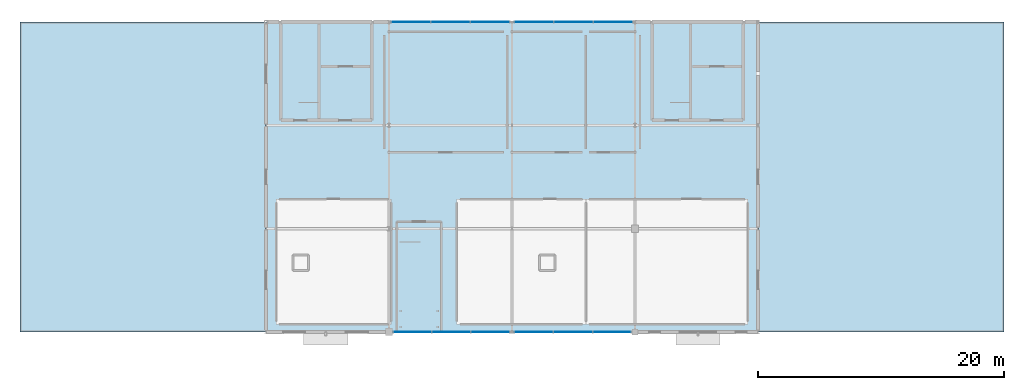
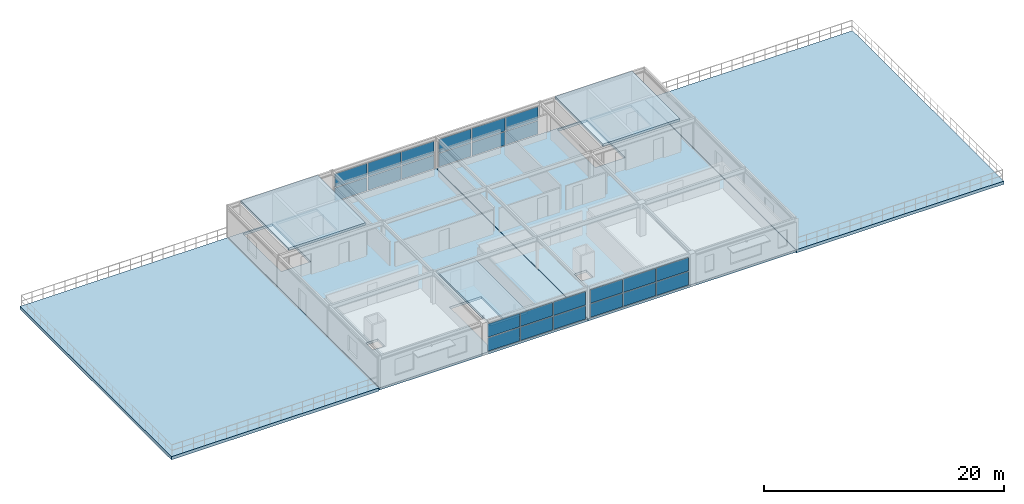
# One storey, part 9 of 12: 24 plates, 7 slabs, 4 elements without a shape of their own.
"""IFC4 building model written with IfcOpenShell, lengths in metres."""

from ifc_helpers import new_model, si_unit, derived_unit, direction, frame, origin, origin_2d_with_axis, place, context, subcontext, project, spatial, polyline, rectangle, outline, extrude, material, layer, layer_set, type_object, element, aggregate, save


model = new_model("IFC4")

# Units and contexts
model_context = context("Model", 3, precision=1e-05, world=origin(), true_north=direction((0.0, 1.0)))
body_context = subcontext(model_context, "Body", "Model", "MODEL_VIEW")
ifc_project = project(units=[si_unit("LENGTHUNIT", "METRE"), si_unit("AREAUNIT", "SQUARE_METRE"), si_unit("VOLUMEUNIT", "CUBIC_METRE"), si_unit("PLANEANGLEUNIT", "RADIAN"), si_unit("MASSUNIT", "GRAM", prefix="KILO"), derived_unit("THERMALTRANSMITTANCEUNIT", [(si_unit("POWERUNIT", "WATT"), 1), (si_unit("LENGTHUNIT", "METRE"), -2), (si_unit("THERMODYNAMICTEMPERATUREUNIT", "KELVIN"), -1)])], contexts=[model_context])

# Site, building, storey
site_placement = place(None, origin())
site = spatial("IfcSite", under=ifc_project, at=site_placement, CompositionType="ELEMENT")
building_placement = place(site_placement, origin())
building = spatial("IfcBuilding", under=site, at=building_placement, Name="Cinnabar Yard Market Hall", CompositionType="ELEMENT")
storey_placement = place(building_placement, frame((0.0, 0.0, 15.300048828125)))
storey = spatial("IfcBuildingStorey", under=building, at=storey_placement, Name="L04", CompositionType="ELEMENT", Elevation=15.300048828125)

# Curtain wall, plates
ifc_material_1 = material(Name="Anodised bronze aluminium courtyard facade", Category="aluminium")
curtain_wall_type_1 = type_object("IfcCurtainWallType", Name="CW-CWF095x29", PredefinedType="NOTDEFINED", material=ifc_material_1)
curtain_wall_1_placement = place(storey_placement, origin())
curtain_wall_1 = element("IfcCurtainWall", 1, at=curtain_wall_1_placement, inside=storey, type_object=curtain_wall_type_1, Name="Wing South Pishtaq Glazing L04 Bay 2", PredefinedType="NOTDEFINED")
ifc_material_2 = material(Name="Low-E laminated glass", Category="glass")
ifc_layer_1 = layer(ifc_material_2, 0.031982421875)
ifc_layer_set_1 = layer_set([ifc_layer_1], Name="Low-E laminated glass")
plate_type_1 = type_object("IfcPlateType", Name="CWP-GP307x136", PredefinedType="CURTAIN_PANEL", material=ifc_layer_set_1)
plate_1_placement = place(storey_placement, frame((107.912109375, 112.800048828125, 0.074951171875), z_axis=(0.0, 0.0, 1.0), x_axis=(1.0, 0.0, 0.0)))
plate_1 = element("IfcPlate", 2, at=plate_1_placement, type_object=plate_type_1, Name="CWF095x29 panel 1.1", PredefinedType="CURTAIN_PANEL", context=body_context, shape_type="SweptSolid", body=[
    extrude(rectangle(XDim=3.066162109375, YDim=0.031982421875, at=origin_2d_with_axis()), origin(), (0.0, 0.0, 1.0), 1.357421875),
])
plate_2_placement = place(storey_placement, frame((107.912109375, 112.800048828125, 1.507568359375), z_axis=(0.0, 0.0, 1.0), x_axis=(1.0, 0.0, 0.0)))
plate_2 = element("IfcPlate", 3, at=plate_2_placement, type_object=plate_type_1, Name="CWF095x29 panel 1.2", PredefinedType="CURTAIN_PANEL", context=body_context, shape_type="SweptSolid", body=[
    extrude(rectangle(XDim=3.066162109375, YDim=0.031982421875, at=origin_2d_with_axis()), origin(), (0.0, 0.0, 1.0), 1.357421875),
])
plate_3_placement = place(storey_placement, frame((114.23193359375, 112.800048828125, 0.074951171875), z_axis=(0.0, 0.0, 1.0), x_axis=(1.0, 0.0, 0.0)))
plate_3 = element("IfcPlate", 4, at=plate_3_placement, type_object=plate_type_1, Name="CWF095x29 panel 3.1", PredefinedType="CURTAIN_PANEL", context=body_context, shape_type="SweptSolid", body=[
    extrude(rectangle(XDim=3.066162109375, YDim=0.031982421875, at=origin_2d_with_axis()), origin(), (0.0, 0.0, 1.0), 1.357421875),
])
plate_4_placement = place(storey_placement, frame((114.23193359375, 112.800048828125, 1.507568359375), z_axis=(0.0, 0.0, 1.0), x_axis=(1.0, 0.0, 0.0)))
plate_4 = element("IfcPlate", 5, at=plate_4_placement, type_object=plate_type_1, Name="CWF095x29 panel 3.2", PredefinedType="CURTAIN_PANEL", context=body_context, shape_type="SweptSolid", body=[
    extrude(rectangle(XDim=3.066162109375, YDim=0.031982421875, at=origin_2d_with_axis()), origin(), (0.0, 0.0, 1.0), 1.357421875),
])

curtain_wall_type_2 = type_object("IfcCurtainWallType", Name="CW-CWF096x29", PredefinedType="NOTDEFINED", material=ifc_material_1)
curtain_wall_2_placement = place(storey_placement, origin())
curtain_wall_2 = element("IfcCurtainWall", 6, at=curtain_wall_2_placement, inside=storey, type_object=curtain_wall_type_2, Name="Wing South Pishtaq Glazing L04 Bay 3", PredefinedType="NOTDEFINED")
ifc_layer_2 = layer(ifc_material_2, 0.031982421875)
ifc_layer_set_2 = layer_set([ifc_layer_2], Name="Low-E laminated glass")
plate_type_2 = type_object("IfcPlateType", Name="CWP-GP308x136", PredefinedType="CURTAIN_PANEL", material=ifc_layer_set_2)
plate_5_placement = place(storey_placement, frame((117.7763671875, 112.800048828125, 0.074951171875), z_axis=(0.0, 0.0, 1.0), x_axis=(1.0, 0.0, 0.0)))
plate_5 = element("IfcPlate", 7, at=plate_5_placement, type_object=plate_type_2, Name="CWF096x29 panel 1.1", PredefinedType="CURTAIN_PANEL", context=body_context, shape_type="SweptSolid", body=[
    extrude(rectangle(XDim=3.082763671875, YDim=0.031982421875, at=origin_2d_with_axis()), origin(), (0.0, 0.0, 1.0), 1.357421875),
])
plate_6_placement = place(storey_placement, frame((117.7763671875, 112.800048828125, 1.507568359375), z_axis=(0.0, 0.0, 1.0), x_axis=(1.0, 0.0, 0.0)))
plate_6 = element("IfcPlate", 8, at=plate_6_placement, type_object=plate_type_2, Name="CWF096x29 panel 1.2", PredefinedType="CURTAIN_PANEL", context=body_context, shape_type="SweptSolid", body=[
    extrude(rectangle(XDim=3.082763671875, YDim=0.031982421875, at=origin_2d_with_axis()), origin(), (0.0, 0.0, 1.0), 1.357421875),
])
plate_7_placement = place(storey_placement, frame((124.129638671875, 112.800048828125, 0.074951171875), z_axis=(0.0, 0.0, 1.0), x_axis=(1.0, 0.0, 0.0)))
plate_7 = element("IfcPlate", 9, at=plate_7_placement, type_object=plate_type_2, Name="CWF096x29 panel 3.1", PredefinedType="CURTAIN_PANEL", context=body_context, shape_type="SweptSolid", body=[
    extrude(rectangle(XDim=3.082763671875, YDim=0.031982421875, at=origin_2d_with_axis()), origin(), (0.0, 0.0, 1.0), 1.357421875),
])
plate_8_placement = place(storey_placement, frame((124.129638671875, 112.800048828125, 1.507568359375), z_axis=(0.0, 0.0, 1.0), x_axis=(1.0, 0.0, 0.0)))
plate_8 = element("IfcPlate", 10, at=plate_8_placement, type_object=plate_type_2, Name="CWF096x29 panel 3.2", PredefinedType="CURTAIN_PANEL", context=body_context, shape_type="SweptSolid", body=[
    extrude(rectangle(XDim=3.082763671875, YDim=0.031982421875, at=origin_2d_with_axis()), origin(), (0.0, 0.0, 1.0), 1.357421875),
])

# Plate
ifc_layer_3 = layer(ifc_material_2, 0.031982421875)
ifc_layer_set_3 = layer_set([ifc_layer_3], Name="Low-E laminated glass")
plate_type_3 = type_object("IfcPlateType", Name="CWP-GP310x136", PredefinedType="CURTAIN_PANEL", material=ifc_layer_set_3)
plate_9_placement = place(storey_placement, frame((111.072021484375, 112.800048828125, 0.074951171875), z_axis=(0.0, 0.0, 1.0), x_axis=(1.0, 0.0, 0.0)))
plate_9 = element("IfcPlate", 11, at=plate_9_placement, type_object=plate_type_3, Name="CWF095x29 panel 2.1", PredefinedType="CURTAIN_PANEL", context=body_context, shape_type="SweptSolid", body=[
    extrude(rectangle(XDim=3.103759765625, YDim=0.031982421875, at=origin_2d_with_axis()), origin(), (0.0, 0.0, 1.0), 1.357421875),
])

plate_10_placement = place(storey_placement, frame((111.072021484375, 112.800048828125, 1.507568359375), z_axis=(0.0, 0.0, 1.0), x_axis=(1.0, 0.0, 0.0)))
plate_10 = element("IfcPlate", 12, at=plate_10_placement, type_object=plate_type_3, Name="CWF095x29 panel 2.2", PredefinedType="CURTAIN_PANEL", context=body_context, shape_type="SweptSolid", body=[
    extrude(rectangle(XDim=3.103759765625, YDim=0.031982421875, at=origin_2d_with_axis()), origin(), (0.0, 0.0, 1.0), 1.357421875),
])

aggregate(curtain_wall_1, [plate_1, plate_2, plate_9, plate_10, plate_3, plate_4])

# Curtain wall, plates
curtain_wall_type_3 = type_object("IfcCurtainWallType", Name="CW-CWF097x29", PredefinedType="NOTDEFINED", material=ifc_material_1)
curtain_wall_3_placement = place(storey_placement, origin())
curtain_wall_3 = element("IfcCurtainWall", 13, at=curtain_wall_3_placement, inside=storey, type_object=curtain_wall_type_3, Name="Wing North Pishtaq Glazing L04 Bay 2", PredefinedType="NOTDEFINED")
ifc_layer_4 = layer(ifc_material_2, 0.031982421875)
ifc_layer_set_4 = layer_set([ifc_layer_4], Name="Low-E laminated glass")
plate_type_4 = type_object("IfcPlateType", Name="CWP-GP311x136", PredefinedType="CURTAIN_PANEL", material=ifc_layer_set_4)
plate_11_placement = place(storey_placement, frame((114.2080078125, 138.0, 0.074951171875), z_axis=(0.0, 0.0, 1.0), x_axis=(-1.0, 0.0, 0.0)))
plate_11 = element("IfcPlate", 14, at=plate_11_placement, type_object=plate_type_4, Name="CWF097x29 panel 1.1", PredefinedType="CURTAIN_PANEL", context=body_context, shape_type="SweptSolid", body=[
    extrude(rectangle(XDim=3.1142578125, YDim=0.031982421875, at=origin_2d_with_axis()), origin(), (0.0, 0.0, 1.0), 1.357421875),
])
plate_12_placement = place(storey_placement, frame((114.2080078125, 138.0, 1.507568359375), z_axis=(0.0, 0.0, 1.0), x_axis=(-1.0, 0.0, 0.0)))
plate_12 = element("IfcPlate", 15, at=plate_12_placement, type_object=plate_type_4, Name="CWF097x29 panel 1.2", PredefinedType="CURTAIN_PANEL", context=body_context, shape_type="SweptSolid", body=[
    extrude(rectangle(XDim=3.1142578125, YDim=0.031982421875, at=origin_2d_with_axis()), origin(), (0.0, 0.0, 1.0), 1.357421875),
])
plate_13_placement = place(storey_placement, frame((107.7919921875, 138.0, 0.074951171875), z_axis=(0.0, 0.0, 1.0), x_axis=(-1.0, 0.0, 0.0)))
plate_13 = element("IfcPlate", 16, at=plate_13_placement, type_object=plate_type_4, Name="CWF097x29 panel 3.1", PredefinedType="CURTAIN_PANEL", context=body_context, shape_type="SweptSolid", body=[
    extrude(rectangle(XDim=3.1142578125, YDim=0.031982421875, at=origin_2d_with_axis()), origin(), (0.0, 0.0, 1.0), 1.357421875),
])
plate_14_placement = place(storey_placement, frame((107.7919921875, 138.0, 1.507568359375), z_axis=(0.0, 0.0, 1.0), x_axis=(-1.0, 0.0, 0.0)))
plate_14 = element("IfcPlate", 17, at=plate_14_placement, type_object=plate_type_4, Name="CWF097x29 panel 3.2", PredefinedType="CURTAIN_PANEL", context=body_context, shape_type="SweptSolid", body=[
    extrude(rectangle(XDim=3.1142578125, YDim=0.031982421875, at=origin_2d_with_axis()), origin(), (0.0, 0.0, 1.0), 1.357421875),
])

curtain_wall_4_placement = place(storey_placement, origin())
curtain_wall_4 = element("IfcCurtainWall", 18, at=curtain_wall_4_placement, inside=storey, type_object=curtain_wall_type_3, Name="Wing North Pishtaq Glazing L04 Bay 3", PredefinedType="NOTDEFINED")
plate_15_placement = place(storey_placement, frame((124.2080078125, 138.0, 0.074951171875), z_axis=(0.0, 0.0, 1.0), x_axis=(-1.0, 0.0, 0.0)))
plate_15 = element("IfcPlate", 19, at=plate_15_placement, type_object=plate_type_4, Name="CWF097x29 panel 1.1", PredefinedType="CURTAIN_PANEL", context=body_context, shape_type="SweptSolid", body=[
    extrude(rectangle(XDim=3.1142578125, YDim=0.031982421875, at=origin_2d_with_axis()), origin(), (0.0, 0.0, 1.0), 1.357421875),
])
plate_16_placement = place(storey_placement, frame((124.2080078125, 138.0, 1.507568359375), z_axis=(0.0, 0.0, 1.0), x_axis=(-1.0, 0.0, 0.0)))
plate_16 = element("IfcPlate", 20, at=plate_16_placement, type_object=plate_type_4, Name="CWF097x29 panel 1.2", PredefinedType="CURTAIN_PANEL", context=body_context, shape_type="SweptSolid", body=[
    extrude(rectangle(XDim=3.1142578125, YDim=0.031982421875, at=origin_2d_with_axis()), origin(), (0.0, 0.0, 1.0), 1.357421875),
])
plate_17_placement = place(storey_placement, frame((117.7919921875, 138.0, 0.074951171875), z_axis=(0.0, 0.0, 1.0), x_axis=(-1.0, 0.0, 0.0)))
plate_17 = element("IfcPlate", 21, at=plate_17_placement, type_object=plate_type_4, Name="CWF097x29 panel 3.1", PredefinedType="CURTAIN_PANEL", context=body_context, shape_type="SweptSolid", body=[
    extrude(rectangle(XDim=3.1142578125, YDim=0.031982421875, at=origin_2d_with_axis()), origin(), (0.0, 0.0, 1.0), 1.357421875),
])
plate_18_placement = place(storey_placement, frame((117.7919921875, 138.0, 1.507568359375), z_axis=(0.0, 0.0, 1.0), x_axis=(-1.0, 0.0, 0.0)))
plate_18 = element("IfcPlate", 22, at=plate_18_placement, type_object=plate_type_4, Name="CWF097x29 panel 3.2", PredefinedType="CURTAIN_PANEL", context=body_context, shape_type="SweptSolid", body=[
    extrude(rectangle(XDim=3.1142578125, YDim=0.031982421875, at=origin_2d_with_axis()), origin(), (0.0, 0.0, 1.0), 1.357421875),
])

# Plate
ifc_layer_5 = layer(ifc_material_2, 0.031982421875)
ifc_layer_set_5 = layer_set([ifc_layer_5], Name="Low-E laminated glass")
plate_type_5 = type_object("IfcPlateType", Name="CWP-GP312x136", PredefinedType="CURTAIN_PANEL", material=ifc_layer_set_5)
plate_19_placement = place(storey_placement, frame((120.952880859375, 112.800048828125, 0.074951171875), z_axis=(0.0, 0.0, 1.0), x_axis=(1.0, 0.0, 0.0)))
plate_19 = element("IfcPlate", 23, at=plate_19_placement, type_object=plate_type_5, Name="CWF096x29 panel 2.1", PredefinedType="CURTAIN_PANEL", context=body_context, shape_type="SweptSolid", body=[
    extrude(rectangle(XDim=3.120361328125, YDim=0.031982421875, at=origin_2d_with_axis()), origin(), (0.0, 0.0, 1.0), 1.357421875),
])

plate_20_placement = place(storey_placement, frame((120.952880859375, 112.800048828125, 1.507568359375), z_axis=(0.0, 0.0, 1.0), x_axis=(1.0, 0.0, 0.0)))
plate_20 = element("IfcPlate", 24, at=plate_20_placement, type_object=plate_type_5, Name="CWF096x29 panel 2.2", PredefinedType="CURTAIN_PANEL", context=body_context, shape_type="SweptSolid", body=[
    extrude(rectangle(XDim=3.120361328125, YDim=0.031982421875, at=origin_2d_with_axis()), origin(), (0.0, 0.0, 1.0), 1.357421875),
])

aggregate(curtain_wall_2, [plate_5, plate_6, plate_19, plate_20, plate_7, plate_8])

ifc_layer_6 = layer(ifc_material_2, 0.031982421875)
ifc_layer_set_6 = layer_set([ifc_layer_6], Name="Low-E laminated glass")
plate_type_6 = type_object("IfcPlateType", Name="CWP-GP315x136", PredefinedType="CURTAIN_PANEL", material=ifc_layer_set_6)
plate_21_placement = place(storey_placement, frame((111.0, 138.0, 0.074951171875), z_axis=(0.0, 0.0, 1.0), x_axis=(-1.0, 0.0, 0.0)))
plate_21 = element("IfcPlate", 25, at=plate_21_placement, type_object=plate_type_6, Name="CWF097x29 panel 2.1", PredefinedType="CURTAIN_PANEL", context=body_context, shape_type="SweptSolid", body=[
    extrude(rectangle(XDim=3.151611328125, YDim=0.031982421875, at=origin_2d_with_axis()), origin(), (0.0, 0.0, 1.0), 1.357421875),
])

plate_22_placement = place(storey_placement, frame((111.0, 138.0, 1.507568359375), z_axis=(0.0, 0.0, 1.0), x_axis=(-1.0, 0.0, 0.0)))
plate_22 = element("IfcPlate", 26, at=plate_22_placement, type_object=plate_type_6, Name="CWF097x29 panel 2.2", PredefinedType="CURTAIN_PANEL", context=body_context, shape_type="SweptSolid", body=[
    extrude(rectangle(XDim=3.151611328125, YDim=0.031982421875, at=origin_2d_with_axis()), origin(), (0.0, 0.0, 1.0), 1.357421875),
])

aggregate(curtain_wall_3, [plate_11, plate_12, plate_21, plate_22, plate_13, plate_14])

plate_23_placement = place(storey_placement, frame((121.0, 138.0, 0.074951171875), z_axis=(0.0, 0.0, 1.0), x_axis=(-1.0, 0.0, 0.0)))
plate_23 = element("IfcPlate", 27, at=plate_23_placement, type_object=plate_type_6, Name="CWF097x29 panel 2.1", PredefinedType="CURTAIN_PANEL", context=body_context, shape_type="SweptSolid", body=[
    extrude(rectangle(XDim=3.151611328125, YDim=0.031982421875, at=origin_2d_with_axis()), origin(), (0.0, 0.0, 1.0), 1.357421875),
])

plate_24_placement = place(storey_placement, frame((121.0, 138.0, 1.507568359375), z_axis=(0.0, 0.0, 1.0), x_axis=(-1.0, 0.0, 0.0)))
plate_24 = element("IfcPlate", 28, at=plate_24_placement, type_object=plate_type_6, Name="CWF097x29 panel 2.2", PredefinedType="CURTAIN_PANEL", context=body_context, shape_type="SweptSolid", body=[
    extrude(rectangle(XDim=3.151611328125, YDim=0.031982421875, at=origin_2d_with_axis()), origin(), (0.0, 0.0, 1.0), 1.357421875),
])

aggregate(curtain_wall_4, [plate_15, plate_16, plate_23, plate_24, plate_17, plate_18])

# Slabs
ifc_material_3 = material(Name="Concrete 40 MPa", Category="concrete")
ifc_layer_7 = layer(ifc_material_3, 0.239990234375)
ifc_layer_set_7 = layer_set([ifc_layer_7], Name="Concrete 40 MPa")
slab_type_1 = type_object("IfcSlabType", Name="SL-L03", PredefinedType="FLOOR", material=ifc_layer_set_7)
slab_1_placement = place(storey_placement, frame((0.0, 0.0, 3.08984375)))
element("IfcSlab", 29, at=slab_1_placement, inside=storey, type_object=slab_type_1, Name="Core C5 Shaft Cap Slab", PredefinedType="FLOOR", context=body_context, shape_type="SweptSolid", body=[
    extrude(outline(polyline([(97.199951171875, 130.0), (104.60009765625, 130.0), (104.60009765625, 138.0), (97.199951171875, 138.0), (97.199951171875, 130.0)])), origin(), (0.0, 0.0, 1.0), 0.239990234375),
])
slab_2_placement = place(storey_placement, frame((0.0, 0.0, 3.08984375)))
element("IfcSlab", 30, at=slab_2_placement, inside=storey, type_object=slab_type_1, Name="Core C6 Shaft Cap Slab", PredefinedType="FLOOR", context=body_context, shape_type="SweptSolid", body=[
    extrude(outline(polyline([(127.39990234375, 130.0), (134.800048828125, 130.0), (134.800048828125, 138.0), (127.39990234375, 138.0), (127.39990234375, 130.0)])), origin(), (0.0, 0.0, 1.0), 0.239990234375),
])
slab_3_placement = place(storey_placement, frame((0.0, 0.0, 2.510009765625)))
element("IfcSlab", 31, at=slab_3_placement, inside=storey, type_object=slab_type_1, Name="Stair ST-F4 Shaft Cap Slab", PredefinedType="FLOOR", context=body_context, shape_type="SweptSolid", body=[
    extrude(outline(polyline([(106.639892578125, 112.840087890625), (110.260009765625, 112.840087890625), (110.260009765625, 121.760009765625), (106.639892578125, 121.760009765625), (106.639892578125, 112.840087890625)])), origin(), (0.0, 0.0, 1.0), 0.239990234375),
])
ifc_layer_8 = layer(ifc_material_3, 0.22998046875)
ifc_layer_set_8 = layer_set([ifc_layer_8], Name="Concrete 40 MPa")
slab_type_2 = type_object("IfcSlabType", Name="SL-L04", PredefinedType="FLOOR", material=ifc_layer_set_8)
slab_4_placement = place(storey_placement, frame((0.0, 0.0, -0.22998046875)))
element("IfcSlab", 32, at=slab_4_placement, inside=storey, type_object=slab_type_2, Name="L04 Wing Floor Slab Bay 1", PredefinedType="FLOOR", context=body_context, shape_type="SweptSolid", body=[
    extrude(outline(polyline([(96.0, 112.800048828125), (116.0, 112.800048828125), (116.0, 138.0), (96.0, 138.0), (96.0, 112.800048828125)]), holes=[polyline([(98.25, 117.85009765625), (99.39990234375, 117.85009765625), (99.39990234375, 119.0), (98.25, 119.0), (98.25, 117.85009765625)]), polyline([(100.199951171875, 131.5048828125), (100.199951171875, 137.860107421875), (97.340087890625, 137.860107421875), (97.340087890625, 131.5048828125), (100.199951171875, 131.5048828125)]), polyline([(100.5, 134.449951171875), (104.449951171875, 134.449951171875), (104.449951171875, 137.85009765625), (100.5, 137.85009765625), (100.5, 134.449951171875)]), polyline([(106.89990234375, 120.034912109375), (106.89990234375, 113.25), (109.9599609375, 113.25), (109.9599609375, 120.034912109375), (106.89990234375, 120.034912109375)])]), origin(), (0.0, 0.0, 1.0), 0.22998046875),
])
slab_5_placement = place(storey_placement, frame((0.0, 0.0, -0.22998046875)))
element("IfcSlab", 33, at=slab_5_placement, inside=storey, type_object=slab_type_2, Name="L04 Wing Floor Slab Bay 2", PredefinedType="FLOOR", context=body_context, shape_type="SweptSolid", body=[
    extrude(outline(polyline([(116.0400390625, 112.800048828125), (136.0, 112.800048828125), (136.0, 138.0), (116.0400390625, 138.0), (116.0400390625, 112.800048828125)]), holes=[polyline([(118.2900390625, 117.85009765625), (119.43994140625, 117.85009765625), (119.43994140625, 119.0), (118.2900390625, 119.0), (118.2900390625, 117.85009765625)]), polyline([(130.39990234375, 131.5048828125), (130.39990234375, 137.860107421875), (127.5400390625, 137.860107421875), (127.5400390625, 131.5048828125), (130.39990234375, 131.5048828125)]), polyline([(130.699951171875, 134.449951171875), (134.64990234375, 134.449951171875), (134.64990234375, 137.85009765625), (130.699951171875, 137.85009765625), (130.699951171875, 134.449951171875)])]), origin(), (0.0, 0.0, 1.0), 0.22998046875),
])
ifc_layer_9 = layer(ifc_material_3, 0.320068359375)
ifc_layer_set_9 = layer_set([ifc_layer_9], Name="Concrete 40 MPa")
slab_type_3 = type_object("IfcSlabType", Name="SL-TERR", PredefinedType="FLOOR", material=ifc_layer_set_9)
slab_6_placement = place(storey_placement, frame((0.0, 0.0, -0.320068359375)))
element("IfcSlab", 34, at=slab_6_placement, inside=storey, type_object=slab_type_3, Name="L04 West Citrus Roof Garden Slab", PredefinedType="FLOOR", context=body_context, shape_type="SweptSolid", body=[
    extrude(outline(polyline([(76.0, 112.800048828125), (95.9599609375, 112.800048828125), (95.9599609375, 138.0), (76.0, 138.0), (76.0, 112.800048828125)])), origin(), (0.0, 0.0, 1.0), 0.320068359375),
])
slab_7_placement = place(storey_placement, frame((0.0, 0.0, -0.320068359375)))
element("IfcSlab", 35, at=slab_7_placement, inside=storey, type_object=slab_type_3, Name="L04 East Saffron Roof Garden Slab", PredefinedType="FLOOR", context=body_context, shape_type="SweptSolid", body=[
    extrude(outline(polyline([(136.0400390625, 112.800048828125), (156.0, 112.800048828125), (156.0, 138.0), (136.0400390625, 138.0), (136.0400390625, 112.800048828125)])), origin(), (0.0, 0.0, 1.0), 0.320068359375),
])

save(model, "model.ifc")
